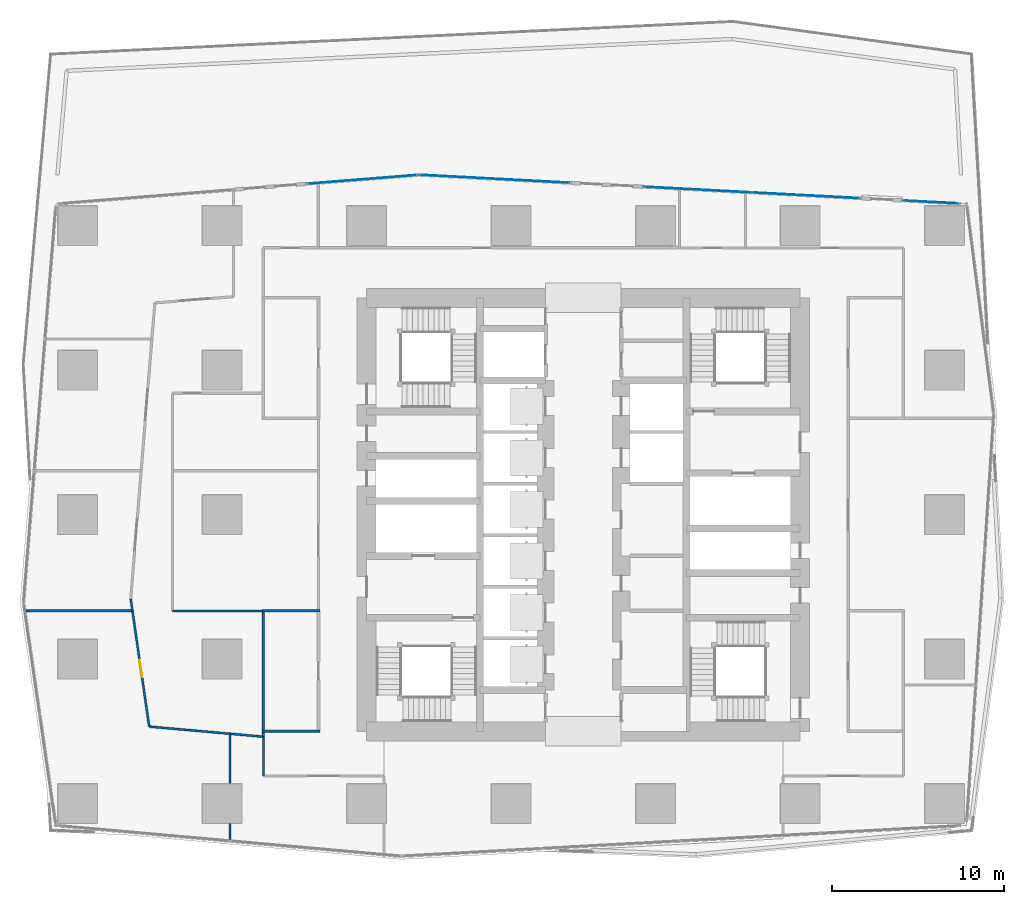
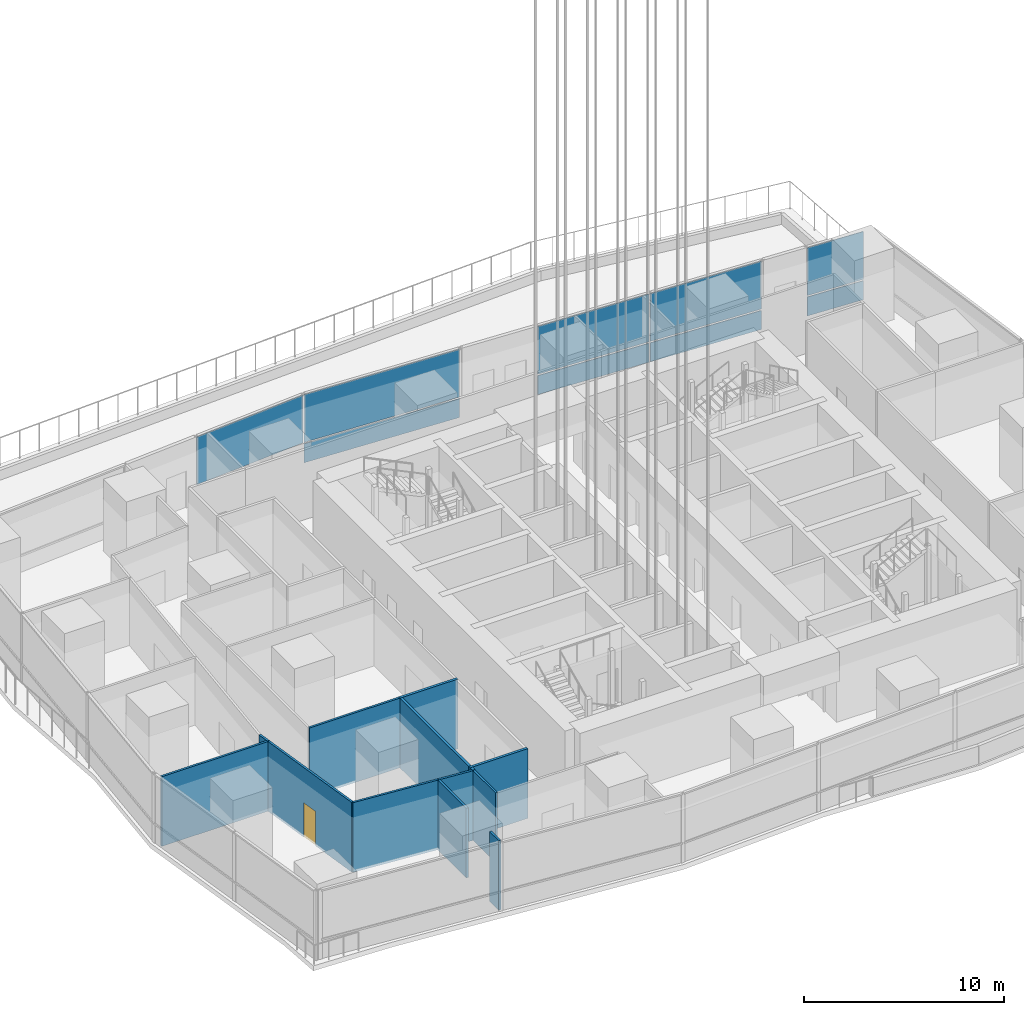
# One storey, part 14 of 39: 13 walls, 9 plates, 1 door, 1 opening, 4 elements without a shape of their own.
"""IFC4 building model written with IfcOpenShell, lengths in metres."""

from ifc_helpers import new_model, si_unit, direction, frame, frame_2d, origin, origin_2d, place, context, subcontext, project, spatial, rectangle, extrude, material, layer, layer_set, type_object, element, fill, aggregate, save


model = new_model("IFC4")

# Units and contexts
model_context = context("Model", 3, precision=1e-05, world=origin(), true_north=direction((0.0, 1.0)))
body_context = subcontext(model_context, "Body", "Model", "MODEL_VIEW")
ifc_project = project(units=[si_unit("LENGTHUNIT", "METRE"), si_unit("AREAUNIT", "SQUARE_METRE"), si_unit("VOLUMEUNIT", "CUBIC_METRE"), si_unit("PLANEANGLEUNIT", "RADIAN"), si_unit("MASSUNIT", "GRAM", prefix="KILO")], contexts=[model_context])

# Site, building, storey
site_placement = place(None, origin())
site = spatial("IfcSite", under=ifc_project, at=site_placement, CompositionType="ELEMENT")
building_placement = place(site_placement, origin())
building = spatial("IfcBuilding", under=site, at=building_placement, Name="Rekha Terrace Tower", CompositionType="ELEMENT")
storey_placement = place(building_placement, frame((0.0, 0.0, 245.60009765625)))
storey = spatial("IfcBuildingStorey", under=building, at=storey_placement, Name="L62", CompositionType="ELEMENT", Elevation=245.60009765625)

# Curtain wall, plates
ifc_material_1 = material(Name="Aluminium framing", Category="aluminium")
curtain_wall_type = type_object("IfcCurtainWallType", Name="CW5 sky garden glazing", PredefinedType="USERDEFINED", material=ifc_material_1)
curtain_wall_1_placement = place(storey_placement, origin())
curtain_wall_1 = element("IfcCurtainWall", 1, at=curtain_wall_1_placement, inside=storey, type_object=curtain_wall_type, Name="CW5 sky garden curtain wall", ObjectType="SKY GARDEN CURTAIN WALL", PredefinedType="USERDEFINED")
ifc_material_2 = material(Name="Laminated double-glazed unit 36", Category="glass")
ifc_layer_1 = layer(ifc_material_2, 0.035888671875)
ifc_layer_set_1 = layer_set([ifc_layer_1], Name="Laminated double-glazed unit 36")
plate_type = type_object("IfcPlateType", Name="CW5 jumbo vision panel, laminated double-glazed unit 36", PredefinedType="CURTAIN_PANEL", material=ifc_layer_set_1)
plate_1_placement = place(storey_placement, frame((58.00439453125, 51.76904296875, 0.0), z_axis=(0.0, 0.0, 1.0), x_axis=(-0.998590089, 0.053083275628, 0.0)))
plate_1 = element("IfcPlate", 2, at=plate_1_placement, type_object=plate_type, Name="CW5 panel 1.1", PredefinedType="CURTAIN_PANEL", context=body_context, shape_type="SweptSolid", body=[
    extrude(rectangle(XDim=3.1435546875, YDim=0.035888671875, at=origin_2d()), origin(), (0.0, 0.0, 1.0), 1.155029296875),
])
plate_2_placement = place(storey_placement, frame((58.00439453125, 51.76904296875, 1.244873046875), z_axis=(0.0, 0.0, 1.0), x_axis=(-0.998590089, 0.053083275628, 0.0)))
plate_2 = element("IfcPlate", 3, at=plate_2_placement, type_object=plate_type, Name="CW5 panel 1.2", PredefinedType="CURTAIN_PANEL", context=body_context, shape_type="SweptSolid", body=[
    extrude(rectangle(XDim=3.1435546875, YDim=0.035888671875, at=origin_2d()), origin(), (0.0, 0.0, 1.0), 2.9150390625),
])
aggregate(curtain_wall_1, [plate_1, plate_2])

curtain_wall_2_placement = place(storey_placement, origin())
curtain_wall_2 = element("IfcCurtainWall", 4, at=curtain_wall_2_placement, inside=storey, type_object=curtain_wall_type, Name="CW5 sky garden curtain wall", ObjectType="SKY GARDEN CURTAIN WALL", PredefinedType="USERDEFINED")
plate_3_placement = place(storey_placement, frame((50.75390625, 52.154541015625, 0.0), z_axis=(0.0, 0.0, 1.0), x_axis=(-0.998590089006, 0.053083275506, 0.0)))
plate_3 = element("IfcPlate", 5, at=plate_3_placement, type_object=plate_type, Name="CW5 panel 1.1", PredefinedType="CURTAIN_PANEL", context=body_context, shape_type="SweptSolid", body=[
    extrude(rectangle(XDim=6.218017578125, YDim=0.035888671875, at=origin_2d()), origin(), (0.0, 0.0, 1.0), 1.155029296875),
])
plate_4_placement = place(storey_placement, frame((50.75390625, 52.154541015625, 1.244873046875), z_axis=(0.0, 0.0, 1.0), x_axis=(-0.998590089006, 0.053083275506, 0.0)))
plate_4 = element("IfcPlate", 6, at=plate_4_placement, type_object=plate_type, Name="CW5 panel 1.2", PredefinedType="CURTAIN_PANEL", context=body_context, shape_type="SweptSolid", body=[
    extrude(rectangle(XDim=6.218017578125, YDim=0.035888671875, at=origin_2d()), origin(), (0.0, 0.0, 1.0), 2.9150390625),
])
plate_5_placement = place(storey_placement, frame((44.454833984375, 52.4892578125, 0.0), z_axis=(0.0, 0.0, 1.0), x_axis=(-0.998590089006, 0.053083275506, 0.0)))
plate_5 = element("IfcPlate", 7, at=plate_5_placement, type_object=plate_type, Name="CW5 panel 2.1", PredefinedType="CURTAIN_PANEL", context=body_context, shape_type="SweptSolid", body=[
    extrude(rectangle(XDim=6.218017578125, YDim=0.035888671875, at=origin_2d()), origin(), (0.0, 0.0, 1.0), 1.155029296875),
])
plate_6_placement = place(storey_placement, frame((44.454833984375, 52.4892578125, 1.244873046875), z_axis=(0.0, 0.0, 1.0), x_axis=(-0.998590089006, 0.053083275506, 0.0)))
plate_6 = element("IfcPlate", 8, at=plate_6_placement, type_object=plate_type, Name="CW5 panel 2.2", PredefinedType="CURTAIN_PANEL", context=body_context, shape_type="SweptSolid", body=[
    extrude(rectangle(XDim=6.218017578125, YDim=0.035888671875, at=origin_2d()), origin(), (0.0, 0.0, 1.0), 2.9150390625),
])
aggregate(curtain_wall_2, [plate_3, plate_4, plate_5, plate_6])

curtain_wall_3_placement = place(storey_placement, origin())
curtain_wall_3 = element("IfcCurtainWall", 9, at=curtain_wall_3_placement, inside=storey, type_object=curtain_wall_type, Name="CW5 sky garden curtain wall", ObjectType="SKY GARDEN CURTAIN WALL", PredefinedType="USERDEFINED")
plate_7_placement = place(storey_placement, frame((32.62451171875, 53.1181640625, 0.0), z_axis=(0.0, 0.0, 1.0), x_axis=(-0.998590089003, 0.053083275576, 0.0)))
plate_7 = element("IfcPlate", 10, at=plate_7_placement, type_object=plate_type, Name="CW5 panel 1.1", PredefinedType="CURTAIN_PANEL", context=body_context, shape_type="SweptSolid", body=[
    extrude(rectangle(XDim=8.7158203125, YDim=0.035888671875, at=origin_2d()), origin(), (0.0, 0.0, 1.0), 1.155029296875),
])
plate_8_placement = place(storey_placement, frame((32.62451171875, 53.1181640625, 1.244873046875), z_axis=(0.0, 0.0, 1.0), x_axis=(-0.998590089003, 0.053083275576, 0.0)))
plate_8 = element("IfcPlate", 11, at=plate_8_placement, type_object=plate_type, Name="CW5 panel 1.2", PredefinedType="CURTAIN_PANEL", context=body_context, shape_type="SweptSolid", body=[
    extrude(rectangle(XDim=8.7158203125, YDim=0.035888671875, at=origin_2d()), origin(), (0.0, 0.0, 1.0), 2.9150390625),
])
aggregate(curtain_wall_3, [plate_7, plate_8])

# Curtain wall, plate
curtain_wall_4_placement = place(storey_placement, origin())
curtain_wall_4 = element("IfcCurtainWall", 12, at=curtain_wall_4_placement, inside=storey, type_object=curtain_wall_type, Name="CW5 sky garden curtain wall", ObjectType="SKY GARDEN CURTAIN WALL", PredefinedType="USERDEFINED")
plate_9_placement = place(storey_placement, frame((24.98193359375, 53.087158203125, 1.244873046875), z_axis=(0.0, 0.0, 1.0), x_axis=(-0.996836058024, -0.079485051575, 0.0)))
plate_9 = element("IfcPlate", 13, at=plate_9_placement, type_object=plate_type, Name="CW5 panel 1.2", PredefinedType="CURTAIN_PANEL", context=body_context, shape_type="SweptSolid", body=[
    extrude(rectangle(XDim=6.422119140625, YDim=0.035888671875, at=origin_2d()), origin(), (0.0, 0.0, 1.0), 2.9150390625),
])
aggregate(curtain_wall_4, [plate_9])

# Walls
ifc_material_3 = material(Name="Concrete block masonry, 1 hour", Category="masonry")
ifc_layer_2 = layer(ifc_material_3, 0.14990234375)
ifc_layer_set_2 = layer_set([ifc_layer_2], Name="Concrete block masonry, 1 hour")
wall_type_1 = type_object("IfcWallType", Name="WP2 150 tenancy partition", PredefinedType="PARTITIONING", material=ifc_layer_set_2)
for number, where, z_axis, x_axis, name in (
    (14, (19.125, 21.0, 0.0), (0.0, 0.0, 1.0), (1.0, 0.0, 0.0), "Men's WC wall L62"),
    (15, (19.125, 28.0, 0.0), (0.0, 0.0, 1.0), (1.0, 0.0, 0.0), "Men's WC wall L62"),
):
    element("IfcWall", number, at=place(storey_placement, frame(where, z_axis=z_axis, x_axis=x_axis)), inside=storey, type_object=wall_type_1, Name=name, PredefinedType="PARTITIONING", context=body_context, shape_type="SweptSolid", body=[
        extrude(rectangle(XDim=3.35009765625, YDim=0.14990234375, at=frame_2d((1.675048828125, 0.0))), origin(), (0.0, 0.0, 1.0), 4.25),
    ])
wall_1_placement = place(storey_placement, frame((19.199951171875, 21.074951171875, 0.0), z_axis=(0.0, 0.0, 1.0), x_axis=(0.0, 1.0, 0.0)))
element("IfcWall", 16, at=wall_1_placement, inside=storey, type_object=wall_type_1, Name="Men's WC wall L62", PredefinedType="PARTITIONING", context=body_context, shape_type="SweptSolid", body=[
    extrude(rectangle(XDim=6.85009765625, YDim=0.14990234375, at=frame_2d((3.425048828125, 0.0))), origin(), (0.0, 0.0, 1.0), 4.25),
])
wall_2_placement = place(storey_placement, frame((19.199951171875, 20.925048828125, 0.0), z_axis=(0.0, 0.0, 1.0), x_axis=(0.0, -1.0, 0.0)))
element("IfcWall", 17, at=wall_2_placement, inside=storey, type_object=wall_type_1, Name="Partition L62-O2b", PredefinedType="PARTITIONING", context=body_context, shape_type="SweptSolid", body=[
    extrude(rectangle(XDim=0.239013671875, YDim=0.14990234375, at=frame_2d((0.11962890625, 0.0))), origin(), (0.0, 0.0, 1.0), 4.25),
])
ifc_material_4 = material(Name="Two layers of fire-rated gypsum board each side on steel studs, acoustic quilt, 1 hour", Category="steel")
ifc_layer_3 = layer(ifc_material_4, 0.125)
ifc_layer_set_3 = layer_set([ifc_layer_3], Name="Two layers of fire-rated gypsum board each side on steel studs, acoustic quilt, 1 hour")
wall_type_2 = type_object("IfcWallType", Name="WP3 125 office partition", PredefinedType="PARTITIONING", material=ifc_layer_set_3)
wall_3_placement = place(storey_placement, frame((11.5859375, 28.010009765625, 0.0), z_axis=(0.0, 0.0, 1.0), x_axis=(-1.0, 0.0, 0.0)))
element("IfcWall", 18, at=wall_3_placement, inside=storey, type_object=wall_type_2, Name="Partition L62-12", PredefinedType="PARTITIONING", context=body_context, shape_type="SweptSolid", body=[
    extrude(rectangle(XDim=6.183837890625, YDim=0.125, at=frame_2d((3.091796875, 0.0))), origin(), (0.0, 0.0, 1.0), 4.25),
])
wall_4_placement = place(storey_placement, frame((11.487060546875, 28.69091796875, 0.0), z_axis=(0.0, 0.0, 1.0), x_axis=(0.143706083616, -0.989620412851, 0.0)))
element("IfcWall", 19, at=wall_4_placement, inside=storey, type_object=wall_type_2, Name="Partition L62-12", PredefinedType="PARTITIONING", context=body_context, shape_type="SweptSolid", body=[
    extrude(rectangle(XDim=0.68798828125, YDim=0.125, at=frame_2d((0.343994140625, 0.0))), origin(), (0.0, 0.0, 1.0), 4.25),
])

# Wall, opening, door
wall_5_placement = place(storey_placement, frame((11.5859375, 28.009033203125, 0.0), z_axis=(0.0, 0.0, 1.0), x_axis=(0.143043957939, -0.989716336178, 0.0)))
wall_5 = element("IfcWall", 20, at=wall_5_placement, inside=storey, type_object=wall_type_2, Name="Partition L62-13", PredefinedType="PARTITIONING", context=body_context, shape_type="SweptSolid", body=[
    extrude(rectangle(XDim=6.80322265625, YDim=0.125, at=frame_2d((3.401611328125, 0.0))), origin(), (0.0, 0.0, 1.0), 4.25),
])
opening_placement = place(wall_5_placement, frame((2.90087890625, 0.0, 0.0)))
opening = element("IfcOpeningElement", 21, at=opening_placement, cuts=wall_5, Name="Opening D9", PredefinedType="OPENING", context=body_context, shape_type="SweptSolid", body=[
    extrude(rectangle(XDim=1.0, YDim=2.10009765625, at=frame_2d((0.5, 1.050048828125))), frame((0.0, 0.072509765625, 0.0), z_axis=(0.0, -1.0, 0.0), x_axis=(1.0, 0.0, 0.0)), (0.0, 0.0, 1.0), 0.14501953125),
])
ifc_material_5 = material(Name="Timber fire door", Category="wood")
door_type = type_object("IfcDoorType", Name="D9 1000x2100 office door", OperationType="SINGLE_SWING_LEFT", PredefinedType="DOOR", material=ifc_material_5)
door_placement = place(opening_placement, origin())
door = element("IfcDoor", 22, at=door_placement, inside=storey, type_object=door_type, Name="Door director's office L62", OperationType="SINGLE_SWING_LEFT", OverallHeight=2.10009765625, OverallWidth=1.0, PredefinedType="DOOR", context=body_context, shape_type="SweptSolid", body=[
    extrude(rectangle(XDim=1.0, YDim=2.10009765625, at=frame_2d((0.5, 1.050048828125))), frame((0.0, 0.02490234375, 0.0), z_axis=(0.0, -1.0, 0.0), x_axis=(1.0, 0.0, 0.0)), (0.0, 0.0, 1.0), 0.050048828125),
])
fill(opening, door)

# Walls
wall_6_placement = place(storey_placement, frame((12.55908203125, 21.27587890625, 0.0), z_axis=(0.0, 0.0, 1.0), x_axis=(0.996087229523, -0.088375512338, 0.0)))
element("IfcWall", 23, at=wall_6_placement, inside=storey, type_object=wall_type_2, Name="Partition L62-13", PredefinedType="PARTITIONING", context=body_context, shape_type="SweptSolid", body=[
    extrude(rectangle(XDim=4.718505859375, YDim=0.125, at=frame_2d((2.359375, 0.0))), origin(), (0.0, 0.0, 1.0), 4.25),
])
wall_7_placement = place(storey_placement, frame((17.259033203125, 20.85888671875, 0.0), z_axis=(0.0, 0.0, 1.0), x_axis=(0.0, -1.0, 0.0)))
element("IfcWall", 24, at=wall_7_placement, inside=storey, type_object=wall_type_2, Name="Partition L62-13", PredefinedType="PARTITIONING", context=body_context, shape_type="SweptSolid", body=[
    extrude(rectangle(XDim=2.888916015625, YDim=0.125, at=frame_2d((1.4443359375, 0.0))), origin(), (0.0, 0.0, 1.0), 4.25),
])
wall_8_placement = place(storey_placement, frame((17.259033203125, 15.6298828125, 0.0), z_axis=(0.0, 0.0, 1.0), x_axis=(0.0, -1.0, 0.0)))
element("IfcWall", 25, at=wall_8_placement, inside=storey, type_object=wall_type_2, Name="Partition L62-13", PredefinedType="PARTITIONING", context=body_context, shape_type="SweptSolid", body=[
    extrude(rectangle(XDim=0.914794921875, YDim=0.125, at=frame_2d((0.45751953125, 0.0))), origin(), (0.0, 0.0, 1.0), 4.25),
])
wall_9_placement = place(storey_placement, frame((17.260009765625, 20.85888671875, 0.0), z_axis=(0.0, 0.0, 1.0), x_axis=(0.996053947662, -0.088749835759, 0.0)))
element("IfcWall", 26, at=wall_9_placement, inside=storey, type_object=wall_type_2, Name="Partition L62-14", PredefinedType="PARTITIONING", context=body_context, shape_type="SweptSolid", body=[
    extrude(rectangle(XDim=1.947509765625, YDim=0.125, at=frame_2d((0.9736328125, 0.0))), origin(), (0.0, 0.0, 1.0), 4.25),
])
wall_10_placement = place(storey_placement, frame((19.199951171875, 20.68603515625, 0.0), z_axis=(0.0, 0.0, 1.0), x_axis=(0.0, -1.0, 0.0)))
element("IfcWall", 27, at=wall_10_placement, inside=storey, type_object=wall_type_2, Name="Partition L62-14", PredefinedType="PARTITIONING", context=body_context, shape_type="SweptSolid", body=[
    extrude(rectangle(XDim=2.2861328125, YDim=0.125, at=frame_2d((1.14306640625, 0.0))), origin(), (0.0, 0.0, 1.0), 4.25),
])
wall_11_placement = place(storey_placement, frame((19.125, 28.0, 0.0), z_axis=(0.0, 0.0, 1.0), x_axis=(-1.0, 0.0, 0.0)))
element("IfcWall", 28, at=wall_11_placement, inside=storey, type_object=wall_type_2, Name="Partition L62-15", PredefinedType="PARTITIONING", context=body_context, shape_type="SweptSolid", body=[
    extrude(rectangle(XDim=5.2060546875, YDim=0.125, at=frame_2d((2.60302734375, 0.0))), origin(), (0.0, 0.0, 1.0), 4.25),
])

save(model, "model.ifc")
